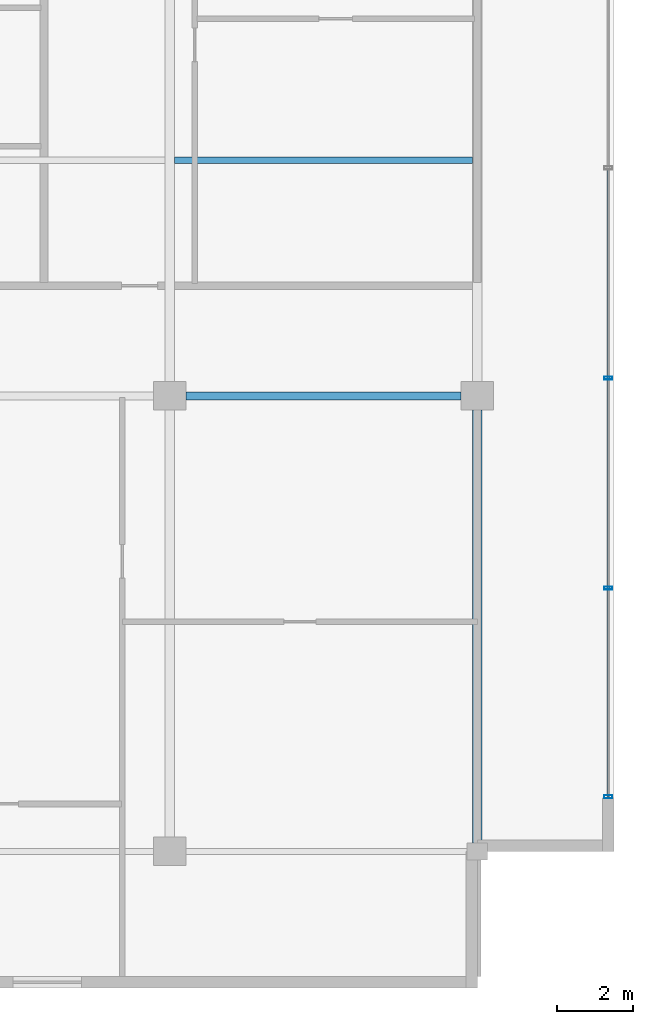
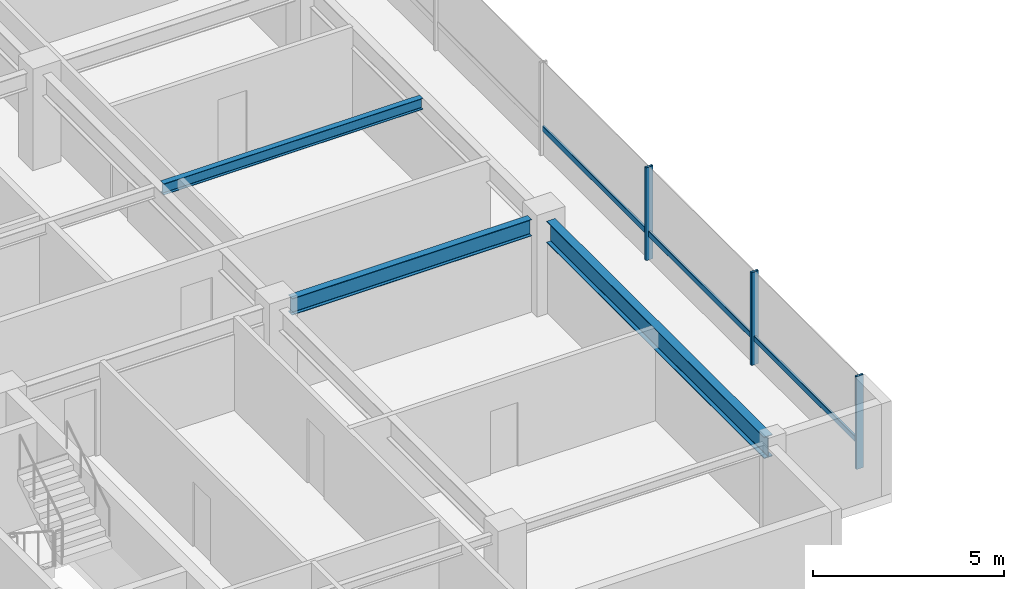
# One storey, part 12 of 32: 6 members, 3 beams, 1 element without a shape of its own.
"""IFC4 building model written with IfcOpenShell, lengths in metres."""

from ifc_helpers import new_model, si_unit, direction, frame, origin, origin_2d, place, context, subcontext, project, spatial, hollow_rectangle, i_section, extrude, material, layer, layer_set, material_profile, profile_set, type_object, element, aggregate, save


model = new_model("IFC4")

# Units and contexts
model_context = context("Model", 3, precision=1e-05, world=origin(), true_north=direction((0.0, 1.0)))
body_context = subcontext(model_context, "Body", "Model", "MODEL_VIEW")
ifc_project = project(units=[si_unit("LENGTHUNIT", "METRE"), si_unit("AREAUNIT", "SQUARE_METRE"), si_unit("VOLUMEUNIT", "CUBIC_METRE"), si_unit("PLANEANGLEUNIT", "RADIAN"), si_unit("MASSUNIT", "GRAM", prefix="KILO")], contexts=[model_context])

# Site, building, storey
site_placement = place(None, origin())
site = spatial("IfcSite", under=ifc_project, at=site_placement, CompositionType="ELEMENT")
building_placement = place(site_placement, origin())
building = spatial("IfcBuilding", under=site, at=building_placement, Name="Korimba Cascade Residences", CompositionType="ELEMENT")
storey_placement = place(building_placement, frame((0.0, 0.0, 178.35009765625)))
storey = spatial("IfcBuildingStorey", under=building, at=storey_placement, Name="L51", CompositionType="ELEMENT", Elevation=178.35009765625)

# Beams
ifc_material_1 = material(Name="Steel S355", Category="steel")
ifc_material_profile_1 = material_profile(ifc_material_1, i_section(OverallWidth=0.172119140625, OverallDepth=0.35791015625, WebThickness=0.008056640625, FlangeThickness=0.012939453125, FilletRadius=0.01025390625, at=origin_2d()), Name="Steel S355")
ifc_profile_set_1 = profile_set([ifc_material_profile_1], Name="Steel S355")
beam_type_1 = type_object("IfcBeamType", Name="BM-STL-UB356", PredefinedType="JOIST", material=ifc_profile_set_1)
beam_1_placement = place(storey_placement, frame((120.427978515625, 73.39990234375, 2.791015625), z_axis=(1.0, 0.0, 0.0), x_axis=(0.0, 1.0, 0.0)))
element("IfcBeam", 1, at=beam_1_placement, inside=storey, type_object=beam_type_1, Name="L51 T1 Floor Joist 1.8", PredefinedType="JOIST", context=body_context, shape_type="SweptSolid", body=[
    extrude(i_section(OverallWidth=0.172119140625, OverallDepth=0.35791015625, WebThickness=0.008056640625, FlangeThickness=0.012939453125, FilletRadius=0.01025390625, at=origin_2d()), origin(), (0.0, 0.0, 1.0), 7.84423828125),
])
ifc_material_profile_2 = material_profile(ifc_material_1, i_section(OverallWidth=0.2099609375, OverallDepth=0.53662109375, WebThickness=0.0107421875, FlangeThickness=0.017333984375, FilletRadius=0.0126953125, at=origin_2d()), Name="Steel S355")
ifc_profile_set_2 = profile_set([ifc_material_profile_2], Name="Steel S355")
beam_type_2 = type_object("IfcBeamType", Name="BM-STL-UB533", PredefinedType="BEAM", material=ifc_profile_set_2)
beam_2_placement = place(storey_placement, frame((120.72509765625, 67.199951171875, 2.701416015625), z_axis=(1.0, 0.0, 0.0), x_axis=(0.0, 1.0, 0.0)))
element("IfcBeam", 2, at=beam_2_placement, inside=storey, type_object=beam_type_2, Name="L51 T1 E-W Girder Y2 Bay 8", PredefinedType="BEAM", context=body_context, shape_type="SweptSolid", body=[
    extrude(i_section(OverallWidth=0.2099609375, OverallDepth=0.53662109375, WebThickness=0.0107421875, FlangeThickness=0.017333984375, FilletRadius=0.0126953125, at=origin_2d()), origin(), (0.0, 0.0, 1.0), 7.25),
])
ifc_material_profile_3 = material_profile(ifc_material_1, i_section(OverallWidth=0.255859375, OverallDepth=0.69287109375, WebThickness=0.014404296875, FlangeThickness=0.023681640625, FilletRadius=0.01513671875, at=origin_2d()), Name="Steel S355")
ifc_profile_set_3 = profile_set([ifc_material_profile_3], Name="Steel S355")
beam_type_3 = type_object("IfcBeamType", Name="BM-STL-UB686", PredefinedType="BEAM", material=ifc_profile_set_3)
beam_3_placement = place(storey_placement, frame((128.39990234375, 55.425048828125, 2.623291015625), z_axis=(0.0, 1.0, 0.0), x_axis=(-1.0, 0.0, 0.0)))
element("IfcBeam", 3, at=beam_3_placement, inside=storey, type_object=beam_type_3, Name="L51 T1 N-S Girder X9 Seg 1", PredefinedType="BEAM", context=body_context, shape_type="SweptSolid", body=[
    extrude(i_section(OverallWidth=0.255859375, OverallDepth=0.69287109375, WebThickness=0.014404296875, FlangeThickness=0.023681640625, FilletRadius=0.01513671875, at=origin_2d()), origin(), (0.0, 0.0, 1.0), 11.39990234375),
])

# Curtain wall, members
ifc_material_2 = material(Name="Anodised Aluminium Curtain Wall Framing", Category="aluminium")
ifc_layer = layer(ifc_material_2, 0.179931640625)
ifc_layer_set = layer_set([ifc_layer], Name="Anodised Aluminium Curtain Wall Framing")
curtain_wall_type = type_object("IfcCurtainWallType", Name="CW-SKY-SYS2", PredefinedType="NOTDEFINED", material=ifc_layer_set)
curtain_wall_placement = place(storey_placement, origin())
curtain_wall = element("IfcCurtainWall", 4, at=curtain_wall_placement, inside=storey, type_object=curtain_wall_type, Name="L51 Curtain Wall CW-L51-T1-E3", PredefinedType="NOTDEFINED")
ifc_material_3 = material(Name="Anodised Aluminium Mullion", Category="aluminium")
ifc_material_profile_4 = material_profile(ifc_material_3, hollow_rectangle(XDim=0.080078125, YDim=0.219970703125, WallThickness=0.00634765625, InnerFilletRadius=0.00634765625, OuterFilletRadius=0.0126953125, at=origin_2d()), Name="Anodised Aluminium Mullion")
ifc_profile_set_4 = profile_set([ifc_material_profile_4], Name="Anodised Aluminium Mullion")
member_type_1 = type_object("IfcMemberType", Name="CWM-MUL-220", PredefinedType="MULLION", material=ifc_profile_set_4)
member_1_placement = place(storey_placement, frame((131.85009765625, 56.639892578125, 0.0), z_axis=(0.0, 0.0, 1.0), x_axis=(0.0, 1.0, 0.0)))
member_1 = element("IfcMember", 5, at=member_1_placement, type_object=member_type_1, Name="CW-L51-T1-E3 Mullion 1", PredefinedType="MULLION", context=body_context, shape_type="SweptSolid", body=[
    extrude(hollow_rectangle(XDim=0.080078125, YDim=0.219970703125, WallThickness=0.00634765625, InnerFilletRadius=0.00634765625, OuterFilletRadius=0.0126953125, at=origin_2d()), origin(), (0.0, 0.0, 1.0), 2.969970703125),
])
member_2_placement = place(storey_placement, frame((131.85009765625, 62.13330078125, 0.0), z_axis=(0.0, 0.0, 1.0), x_axis=(0.0, 1.0, 0.0)))
member_2 = element("IfcMember", 6, at=member_2_placement, type_object=member_type_1, Name="CW-L51-T1-E3 Mullion 2", PredefinedType="MULLION", context=body_context, shape_type="SweptSolid", body=[
    extrude(hollow_rectangle(XDim=0.080078125, YDim=0.219970703125, WallThickness=0.00634765625, InnerFilletRadius=0.00634765625, OuterFilletRadius=0.0126953125, at=origin_2d()), origin(), (0.0, 0.0, 1.0), 2.969970703125),
])
member_3_placement = place(storey_placement, frame((131.85009765625, 67.666748046875, 0.0), z_axis=(0.0, 0.0, 1.0), x_axis=(0.0, 1.0, 0.0)))
member_3 = element("IfcMember", 7, at=member_3_placement, type_object=member_type_1, Name="CW-L51-T1-E3 Mullion 3", PredefinedType="MULLION", context=body_context, shape_type="SweptSolid", body=[
    extrude(hollow_rectangle(XDim=0.080078125, YDim=0.219970703125, WallThickness=0.00634765625, InnerFilletRadius=0.00634765625, OuterFilletRadius=0.0126953125, at=origin_2d()), origin(), (0.0, 0.0, 1.0), 2.969970703125),
])
ifc_material_4 = material(Name="Anodised Aluminium Transom", Category="aluminium")
ifc_material_profile_5 = material_profile(ifc_material_4, hollow_rectangle(XDim=0.070068359375, YDim=0.179931640625, WallThickness=0.0048828125, InnerFilletRadius=0.0048828125, OuterFilletRadius=0.010009765625, at=origin_2d()), Name="Anodised Aluminium Transom")
ifc_profile_set_5 = profile_set([ifc_material_profile_5], Name="Anodised Aluminium Transom")
member_type_2 = type_object("IfcMemberType", Name="CWM-TRN-150", PredefinedType="USERDEFINED", material=ifc_profile_set_5)
member_4_placement = place(storey_placement, frame((131.85009765625, 56.639892578125, 0.83154296875), z_axis=(0.0, 1.0, 0.0), x_axis=(-1.0, 0.0, 0.0)))
member_4 = element("IfcMember", 8, at=member_4_placement, type_object=member_type_2, Name="CW-L51-T1-E3 Transom 1", ObjectType="TRANSOM", PredefinedType="USERDEFINED", context=body_context, shape_type="SweptSolid", body=[
    extrude(hollow_rectangle(XDim=0.070068359375, YDim=0.179931640625, WallThickness=0.0048828125, InnerFilletRadius=0.0048828125, OuterFilletRadius=0.010009765625, at=origin_2d()), origin(), (0.0, 0.0, 1.0), 5.493408203125),
])
member_5_placement = place(storey_placement, frame((131.85009765625, 62.13330078125, 0.83154296875), z_axis=(0.0, 1.0, 0.0), x_axis=(-1.0, 0.0, 0.0)))
member_5 = element("IfcMember", 9, at=member_5_placement, type_object=member_type_2, Name="CW-L51-T1-E3 Transom 2", ObjectType="TRANSOM", PredefinedType="USERDEFINED", context=body_context, shape_type="SweptSolid", body=[
    extrude(hollow_rectangle(XDim=0.070068359375, YDim=0.179931640625, WallThickness=0.0048828125, InnerFilletRadius=0.0048828125, OuterFilletRadius=0.010009765625, at=origin_2d()), origin(), (0.0, 0.0, 1.0), 5.533447265625),
])
member_6_placement = place(storey_placement, frame((131.85009765625, 67.666748046875, 0.83154296875), z_axis=(0.0, 1.0, 0.0), x_axis=(-1.0, 0.0, 0.0)))
member_6 = element("IfcMember", 10, at=member_6_placement, type_object=member_type_2, Name="CW-L51-T1-E3 Transom 3", ObjectType="TRANSOM", PredefinedType="USERDEFINED", context=body_context, shape_type="SweptSolid", body=[
    extrude(hollow_rectangle(XDim=0.070068359375, YDim=0.179931640625, WallThickness=0.0048828125, InnerFilletRadius=0.0048828125, OuterFilletRadius=0.010009765625, at=origin_2d()), origin(), (0.0, 0.0, 1.0), 5.533203125),
])
aggregate(curtain_wall, [member_1, member_2, member_3, member_4, member_5, member_6])

save(model, "model.ifc")
